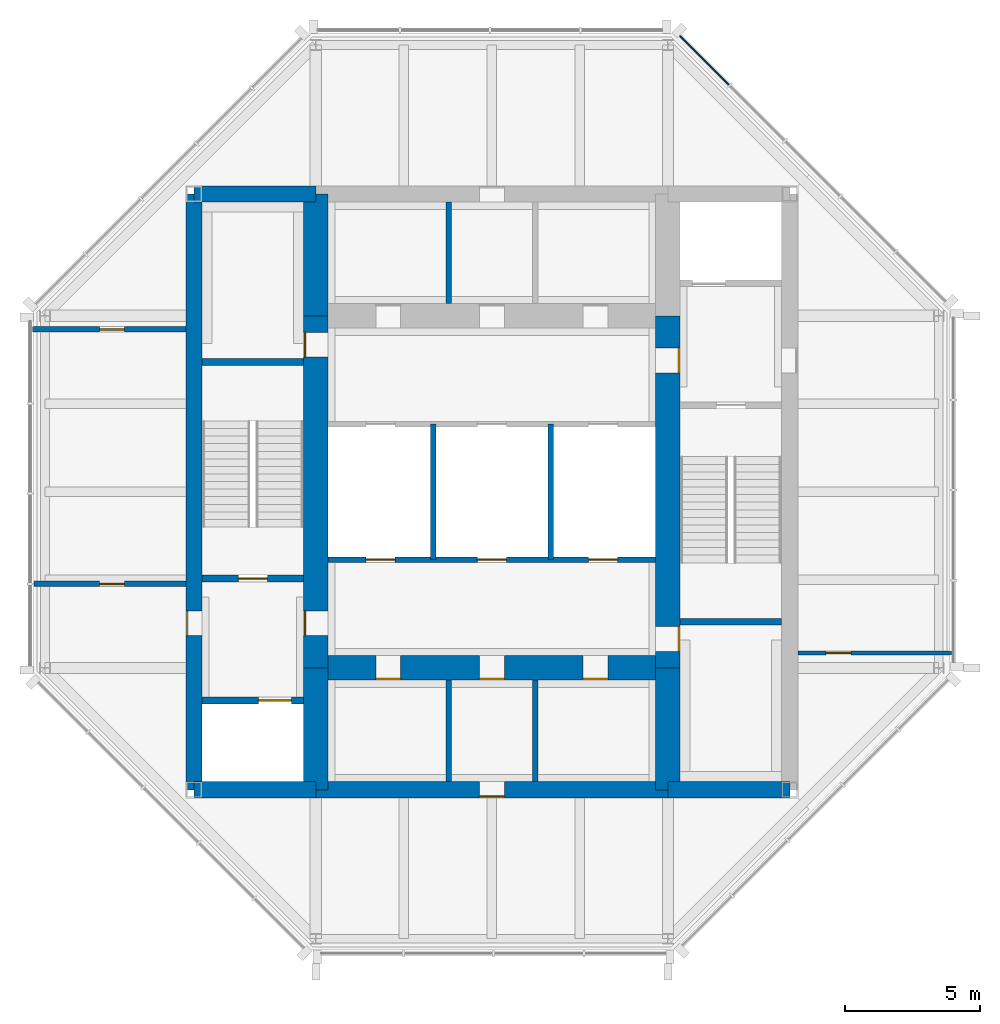
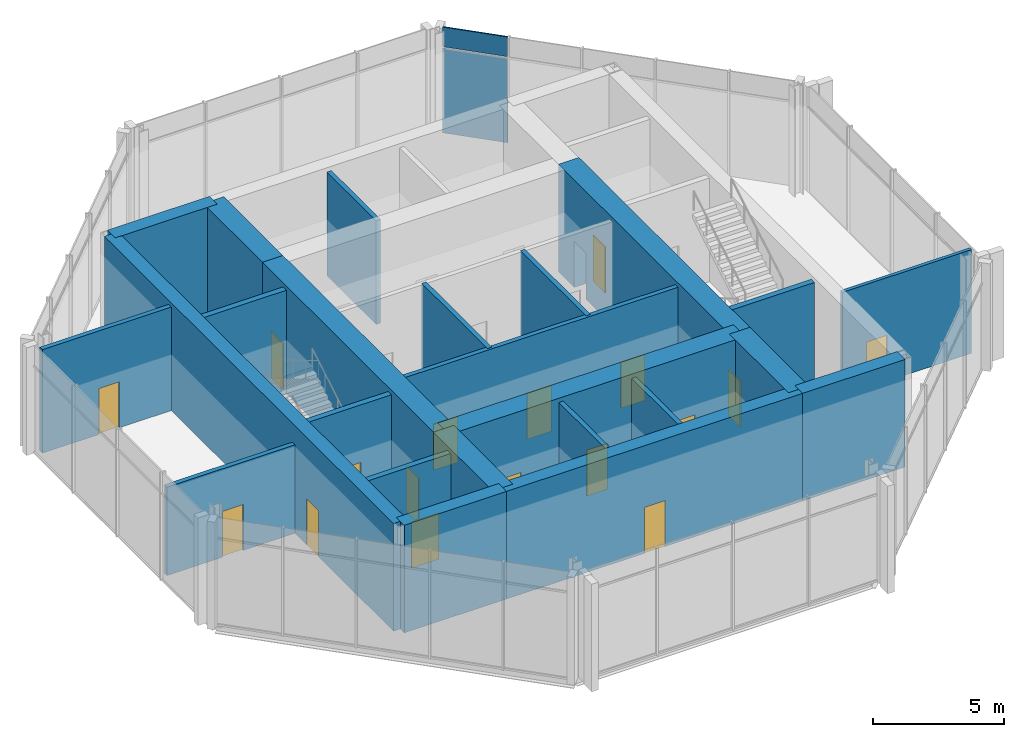
# One storey, part 5 of 7: 24 walls, 17 doors, 2 plates, 17 openings, 1 element without a shape of its own.
"""IFC4 building model written with IfcOpenShell, lengths in metres."""

from ifc_helpers import new_model, si_unit, direction, frame, frame_2d, origin, origin_2d, place, context, subcontext, project, spatial, rectangle, extrude, material, layer, layer_set, type_object, element, fill, aggregate, save


model = new_model("IFC4")

# Units and contexts
model_context = context("Model", 3, precision=1e-05, world=origin(), true_north=direction((0.0, 1.0)))
body_context = subcontext(model_context, "Body", "Model", "MODEL_VIEW")
ifc_project = project(units=[si_unit("LENGTHUNIT", "METRE"), si_unit("AREAUNIT", "SQUARE_METRE"), si_unit("VOLUMEUNIT", "CUBIC_METRE"), si_unit("PLANEANGLEUNIT", "RADIAN"), si_unit("MASSUNIT", "GRAM", prefix="KILO")], contexts=[model_context])

# Site, building, storey
site_placement = place(None, origin())
site = spatial("IfcSite", under=ifc_project, at=site_placement, CompositionType="ELEMENT")
building_placement = place(site_placement, origin())
building = spatial("IfcBuilding", under=site, at=building_placement, Name="Trevanion Tower", CompositionType="ELEMENT")
storey_placement = place(building_placement, frame((0.0, 0.0, 299.199951171875)))
storey = spatial("IfcBuildingStorey", under=building, at=storey_placement, Name="L74", CompositionType="ELEMENT", Elevation=299.199951171875)

# Curtain wall, plates
ifc_material_1 = material(Name="Aluminium and glass", Category="aluminium")
curtain_wall_type = type_object("IfcCurtainWallType", Name="CW4 curtain wall", PredefinedType="USERDEFINED", material=ifc_material_1)
curtain_wall_placement = place(storey_placement, origin())
curtain_wall = element("IfcCurtainWall", 1, at=curtain_wall_placement, inside=storey, type_object=curtain_wall_type, Name="CW4 L74 1", ObjectType="UNITISED CURTAIN WALL", PredefinedType="USERDEFINED")
ifc_material_2 = material(Name="Aluminium spandrel panel", Category="aluminium")
ifc_layer_1 = layer(ifc_material_2, 0.06005859375)
ifc_layer_set_1 = layer_set([ifc_layer_1], Name="CW4 spandrel panel")
plate_type_1 = type_object("IfcPlateType", Name="CW4 spandrel panel", PredefinedType="CURTAIN_PANEL", material=ifc_layer_set_1)
plate_1_placement = place(storey_placement, frame((7.84375, 15.93408203125, 3.8974609375), z_axis=(0.0, 0.0, 1.0), x_axis=(-0.707106781187, 0.707106781187, 0.0)))
plate_1 = element("IfcPlate", 2, at=plate_1_placement, type_object=plate_type_1, Name="CW4 panel 5.2", PredefinedType="CURTAIN_PANEL", context=body_context, shape_type="SweptSolid", body=[
    extrude(rectangle(XDim=2.55615234375, YDim=0.06005859375, at=origin_2d()), origin(), (0.0, 0.0, 1.0), 0.91259765625),
])
ifc_material_3 = material(Name="Insulating glass unit", Category="glass")
ifc_layer_2 = layer(ifc_material_3, 0.028076171875)
ifc_layer_set_2 = layer_set([ifc_layer_2], Name="CW4 vision panel")
plate_type_2 = type_object("IfcPlateType", Name="CW4 vision panel", PredefinedType="CURTAIN_PANEL", material=ifc_layer_set_2)
plate_2_placement = place(storey_placement, frame((7.84375, 15.93408203125, -0.114990234375), z_axis=(0.0, 0.0, 1.0), x_axis=(-0.707106781187, 0.707106781187, 0.0)))
plate_2 = element("IfcPlate", 3, at=plate_2_placement, type_object=plate_type_2, Name="CW4 panel 5.1", PredefinedType="CURTAIN_PANEL", context=body_context, shape_type="SweptSolid", body=[
    extrude(rectangle(XDim=2.55615234375, YDim=0.028076171875, at=origin_2d()), origin(), (0.0, 0.0, 1.0), 3.9375),
])
aggregate(curtain_wall, [plate_2, plate_1])

# Wall, opening, door
ifc_material_4 = material(Name="Concrete 10,000 psi", Category="concrete")
ifc_layer_3 = layer(ifc_material_4, 0.60009765625)
ifc_layer_set_3 = layer_set([ifc_layer_3], Name="CW1 core wall 600")
wall_type_1 = type_object("IfcWallType", Name="CW1 core wall 600", PredefinedType="SHEAR", material=ifc_layer_set_3)
wall_1_placement = place(storey_placement, frame((-11.0, 11.0, 0.0), z_axis=(0.0, 0.0, 1.0), x_axis=(0.0, -1.0, 0.0)))
wall_1 = element("IfcWall", 4, at=wall_1_placement, inside=storey, type_object=wall_type_1, Name="CW1 CW L74", PredefinedType="SHEAR", context=body_context, shape_type="SweptSolid", body=[
    extrude(rectangle(XDim=22.0, YDim=0.60009765625, at=frame_2d((11.0, 0.0))), origin(), (0.0, 0.0, 1.0), 5.0),
])
opening_1_placement = place(wall_1_placement, frame((15.392578125, 0.0, 0.0)))
opening_1 = element("IfcOpeningElement", 5, at=opening_1_placement, cuts=wall_1, Name="Opening 74-002", PredefinedType="OPENING", context=body_context, shape_type="SweptSolid", body=[
    extrude(rectangle(XDim=0.9150390625, YDim=2.134033203125, at=frame_2d((0.45751953125, 1.06689453125))), frame((0.0, 0.31005859375, 0.0), z_axis=(0.0, -1.0, 0.0), x_axis=(1.0, 0.0, 0.0)), (0.0, 0.0, 1.0), 0.6201171875),
])
ifc_material_5 = material(Name="Hollow metal, fire rated", Category="steel")
door_type_1 = type_object("IfcDoorType", Name="D3 fire lift lobby door", OperationType="SINGLE_SWING_RIGHT", PredefinedType="DOOR", material=ifc_material_5)
door_1_placement = place(opening_1_placement, origin())
door_1 = element("IfcDoor", 6, at=door_1_placement, inside=storey, type_object=door_type_1, Name="Door 74-002", OperationType="SINGLE_SWING_RIGHT", OverallHeight=2.134033203125, OverallWidth=0.9150390625, PredefinedType="DOOR", context=body_context, shape_type="SweptSolid", body=[
    extrude(rectangle(XDim=0.9150390625, YDim=2.134033203125, at=frame_2d((0.45751953125, 1.06689453125))), frame((0.0, -0.22509765625, 0.0), z_axis=(0.0, -1.0, 0.0), x_axis=(1.0, 0.0, 0.0)), (0.0, 0.0, 1.0), 0.050048828125),
])
fill(opening_1, door_1)

# Walls
for number, where, z_axis, x_axis, name in (
    (7, (-6.5, 11.0, 0.0), (0.0, 0.0, 1.0), (-1.0, 0.0, 0.0), "CW1 CN3 L74"),
    (8, (-11.0, -11.0, 0.0), (0.0, 0.0, 1.0), (1.0, 0.0, 0.0), "CW1 CS1 L74"),
):
    element("IfcWall", number, at=place(storey_placement, frame(where, z_axis=z_axis, x_axis=x_axis)), inside=storey, type_object=wall_type_1, Name=name, PredefinedType="SHEAR", context=body_context, shape_type="SweptSolid", body=[
        extrude(rectangle(XDim=4.5, YDim=0.60009765625, at=frame_2d((2.25, 0.0))), origin(), (0.0, 0.0, 1.0), 5.0),
    ])

# Wall, opening, door
wall_2_placement = place(storey_placement, frame((-6.5, -11.0, 0.0), z_axis=(0.0, 0.0, 1.0), x_axis=(1.0, 0.0, 0.0)))
wall_2 = element("IfcWall", 9, at=wall_2_placement, inside=storey, type_object=wall_type_1, Name="CW1 CS2 L74", PredefinedType="SHEAR", context=body_context, shape_type="SweptSolid", body=[
    extrude(rectangle(XDim=13.0, YDim=0.60009765625, at=frame_2d((6.5, 0.0))), origin(), (0.0, 0.0, 1.0), 5.0),
])
opening_2_placement = place(wall_2_placement, frame((6.04248046875, 0.0, 0.0)))
opening_2 = element("IfcOpeningElement", 10, at=opening_2_placement, cuts=wall_2, Name="Opening 74-022", PredefinedType="OPENING", context=body_context, shape_type="SweptSolid", body=[
    extrude(rectangle(XDim=0.9150390625, YDim=2.134033203125, at=frame_2d((0.45751953125, 1.06689453125))), frame((0.0, 0.31005859375, 0.0), z_axis=(0.0, -1.0, 0.0), x_axis=(1.0, 0.0, 0.0)), (0.0, 0.0, 1.0), 0.6201171875),
])
door_2_placement = place(opening_2_placement, origin())
door_2 = element("IfcDoor", 11, at=door_2_placement, inside=storey, type_object=door_type_1, Name="Door 74-022", OperationType="SINGLE_SWING_RIGHT", OverallHeight=2.134033203125, OverallWidth=0.9150390625, PredefinedType="DOOR", context=body_context, shape_type="SweptSolid", body=[
    extrude(rectangle(XDim=0.9150390625, YDim=2.134033203125, at=frame_2d((0.45751953125, 1.06689453125))), frame((0.0, -0.22509765625, 0.0), z_axis=(0.0, -1.0, 0.0), x_axis=(1.0, 0.0, 0.0)), (0.0, 0.0, 1.0), 0.050048828125),
])
fill(opening_2, door_2)

# Walls
wall_3_placement = place(storey_placement, frame((6.5, -11.0, 0.0), z_axis=(0.0, 0.0, 1.0), x_axis=(1.0, 0.0, 0.0)))
element("IfcWall", 12, at=wall_3_placement, inside=storey, type_object=wall_type_1, Name="CW1 CS3 L74", PredefinedType="SHEAR", context=body_context, shape_type="SweptSolid", body=[
    extrude(rectangle(XDim=4.5, YDim=0.60009765625, at=frame_2d((2.25, 0.0))), origin(), (0.0, 0.0, 1.0), 5.0),
])
ifc_material_6 = material(Name="Concrete 10,000 psi", Category="concrete")
ifc_layer_4 = layer(ifc_material_6, 0.89990234375)
ifc_layer_set_4 = layer_set([ifc_layer_4], Name="CW2 core wall 900")
wall_type_2 = type_object("IfcWallType", Name="CW2 core wall 900", PredefinedType="SHEAR", material=ifc_layer_set_4)
wall_4_placement = place(storey_placement, frame((6.5, -11.0, 0.0), z_axis=(0.0, 0.0, 1.0), x_axis=(0.0, 1.0, 0.0)))
element("IfcWall", 13, at=wall_4_placement, inside=storey, type_object=wall_type_2, Name="CW2 RE1 L74", PredefinedType="SHEAR", context=body_context, shape_type="SweptSolid", body=[
    extrude(rectangle(XDim=4.5, YDim=0.89990234375, at=frame_2d((2.25, 0.0))), origin(), (0.0, 0.0, 1.0), 5.0),
])

# Wall, openings, doors
wall_5_placement = place(storey_placement, frame((6.5, -6.5, 0.0), z_axis=(0.0, 0.0, 1.0), x_axis=(0.0, 1.0, 0.0)))
wall_5 = element("IfcWall", 14, at=wall_5_placement, inside=storey, type_object=wall_type_2, Name="CW2 RE2 L74", PredefinedType="SHEAR", context=body_context, shape_type="SweptSolid", body=[
    extrude(rectangle(XDim=13.0, YDim=0.89990234375, at=frame_2d((6.5, 0.0))), origin(), (0.0, 0.0, 1.0), 5.0),
])
opening_3_placement = place(wall_5_placement, frame((10.892578125, 0.0, 0.0)))
opening_3 = element("IfcOpeningElement", 15, at=opening_3_placement, cuts=wall_5, Name="Opening 74-003", PredefinedType="OPENING", context=body_context, shape_type="SweptSolid", body=[
    extrude(rectangle(XDim=0.9150390625, YDim=2.134033203125, at=frame_2d((0.45751953125, 1.06689453125))), frame((0.0, 0.4599609375, 0.0), z_axis=(0.0, -1.0, 0.0), x_axis=(1.0, 0.0, 0.0)), (0.0, 0.0, 1.0), 0.919921875),
])
opening_4_placement = place(wall_5_placement, frame((0.610107421875, 0.0, 0.0)))
opening_4 = element("IfcOpeningElement", 16, at=opening_4_placement, cuts=wall_5, Name="Opening 74-009", PredefinedType="OPENING", context=body_context, shape_type="SweptSolid", body=[
    extrude(rectangle(XDim=0.9150390625, YDim=2.134033203125, at=frame_2d((0.45751953125, 1.06689453125))), frame((0.0, 0.4599609375, 0.0), z_axis=(0.0, -1.0, 0.0), x_axis=(1.0, 0.0, 0.0)), (0.0, 0.0, 1.0), 0.919921875),
])
door_3_placement = place(opening_3_placement, origin())
door_3 = element("IfcDoor", 17, at=door_3_placement, inside=storey, type_object=door_type_1, Name="Door 74-003", OperationType="SINGLE_SWING_RIGHT", OverallHeight=2.134033203125, OverallWidth=0.9150390625, PredefinedType="DOOR", context=body_context, shape_type="SweptSolid", body=[
    extrude(rectangle(XDim=0.9150390625, YDim=2.134033203125, at=frame_2d((0.45751953125, 1.06689453125))), frame((0.0, -0.375, 0.0), z_axis=(0.0, -1.0, 0.0), x_axis=(1.0, 0.0, 0.0)), (0.0, 0.0, 1.0), 0.050048828125),
])
fill(opening_3, door_3)
ifc_material_7 = material(Name="Hollow metal, fire rated", Category="steel")
door_type_2 = type_object("IfcDoorType", Name="D5 service room door", OperationType="SINGLE_SWING_RIGHT", PredefinedType="DOOR", material=ifc_material_7)
door_4_placement = place(opening_4_placement, origin())
door_4 = element("IfcDoor", 18, at=door_4_placement, inside=storey, type_object=door_type_2, Name="Door 74-009", OperationType="SINGLE_SWING_RIGHT", OverallHeight=2.134033203125, OverallWidth=0.9150390625, PredefinedType="DOOR", context=body_context, shape_type="SweptSolid", body=[
    extrude(rectangle(XDim=0.9150390625, YDim=2.134033203125, at=frame_2d((0.45751953125, 1.06689453125))), frame((0.0, -0.375, 0.0), z_axis=(0.0, -1.0, 0.0), x_axis=(1.0, 0.0, 0.0)), (0.0, 0.0, 1.0), 0.050048828125),
])
fill(opening_4, door_4)

# Wall
wall_6_placement = place(storey_placement, frame((-6.5, 11.0, 0.0), z_axis=(0.0, 0.0, 1.0), x_axis=(0.0, -1.0, 0.0)))
element("IfcWall", 19, at=wall_6_placement, inside=storey, type_object=wall_type_2, Name="CW2 RW1 L74", PredefinedType="SHEAR", context=body_context, shape_type="SweptSolid", body=[
    extrude(rectangle(XDim=4.5, YDim=0.89990234375, at=frame_2d((2.25, 0.0))), origin(), (0.0, 0.0, 1.0), 5.0),
])

# Wall, openings, doors
wall_7_placement = place(storey_placement, frame((-6.5, 6.5, 0.0), z_axis=(0.0, 0.0, 1.0), x_axis=(0.0, -1.0, 0.0)))
wall_7 = element("IfcWall", 20, at=wall_7_placement, inside=storey, type_object=wall_type_2, Name="CW2 RW2 L74", PredefinedType="SHEAR", context=body_context, shape_type="SweptSolid", body=[
    extrude(rectangle(XDim=13.0, YDim=0.89990234375, at=frame_2d((6.5, 0.0))), origin(), (0.0, 0.0, 1.0), 5.0),
])
opening_5_placement = place(wall_7_placement, frame((10.892578125, 0.0, 0.0)))
opening_5 = element("IfcOpeningElement", 21, at=opening_5_placement, cuts=wall_7, Name="Opening 74-004", PredefinedType="OPENING", context=body_context, shape_type="SweptSolid", body=[
    extrude(rectangle(XDim=0.9150390625, YDim=2.134033203125, at=frame_2d((0.45751953125, 1.06689453125))), frame((0.0, 0.4599609375, 0.0), z_axis=(0.0, -1.0, 0.0), x_axis=(1.0, 0.0, 0.0)), (0.0, 0.0, 1.0), 0.919921875),
])
opening_6_placement = place(wall_7_placement, frame((0.610107421875, 0.0, 0.0)))
opening_6 = element("IfcOpeningElement", 22, at=opening_6_placement, cuts=wall_7, Name="Opening 74-010", PredefinedType="OPENING", context=body_context, shape_type="SweptSolid", body=[
    extrude(rectangle(XDim=0.9150390625, YDim=2.134033203125, at=frame_2d((0.45751953125, 1.06689453125))), frame((0.0, 0.4599609375, 0.0), z_axis=(0.0, -1.0, 0.0), x_axis=(1.0, 0.0, 0.0)), (0.0, 0.0, 1.0), 0.919921875),
])
door_5_placement = place(opening_5_placement, origin())
door_5 = element("IfcDoor", 23, at=door_5_placement, inside=storey, type_object=door_type_1, Name="Door 74-004", OperationType="SINGLE_SWING_RIGHT", OverallHeight=2.134033203125, OverallWidth=0.9150390625, PredefinedType="DOOR", context=body_context, shape_type="SweptSolid", body=[
    extrude(rectangle(XDim=0.9150390625, YDim=2.134033203125, at=frame_2d((0.45751953125, 1.06689453125))), frame((0.0, -0.375, 0.0), z_axis=(0.0, -1.0, 0.0), x_axis=(1.0, 0.0, 0.0)), (0.0, 0.0, 1.0), 0.050048828125),
])
fill(opening_5, door_5)
door_6_placement = place(opening_6_placement, origin())
door_6 = element("IfcDoor", 24, at=door_6_placement, inside=storey, type_object=door_type_2, Name="Door 74-010", OperationType="SINGLE_SWING_RIGHT", OverallHeight=2.134033203125, OverallWidth=0.9150390625, PredefinedType="DOOR", context=body_context, shape_type="SweptSolid", body=[
    extrude(rectangle(XDim=0.9150390625, YDim=2.134033203125, at=frame_2d((0.45751953125, 1.06689453125))), frame((0.0, -0.375, 0.0), z_axis=(0.0, -1.0, 0.0), x_axis=(1.0, 0.0, 0.0)), (0.0, 0.0, 1.0), 0.050048828125),
])
fill(opening_6, door_6)

# Wall
wall_8_placement = place(storey_placement, frame((-6.5, -6.5, 0.0), z_axis=(0.0, 0.0, 1.0), x_axis=(0.0, -1.0, 0.0)))
element("IfcWall", 25, at=wall_8_placement, inside=storey, type_object=wall_type_2, Name="CW2 RW3 L74", PredefinedType="SHEAR", context=body_context, shape_type="SweptSolid", body=[
    extrude(rectangle(XDim=4.5, YDim=0.89990234375, at=frame_2d((2.25, 0.0))), origin(), (0.0, 0.0, 1.0), 5.0),
])

# Wall, openings, doors
wall_9_placement = place(storey_placement, frame((-6.5, -6.5, 0.0), z_axis=(0.0, 0.0, 1.0), x_axis=(1.0, 0.0, 0.0)))
wall_9 = element("IfcWall", 26, at=wall_9_placement, inside=storey, type_object=wall_type_2, Name="CW2 RS L74", PredefinedType="SHEAR", context=body_context, shape_type="SweptSolid", body=[
    extrude(rectangle(XDim=13.0, YDim=0.89990234375, at=frame_2d((6.5, 0.0))), origin(), (0.0, 0.0, 1.0), 5.0),
])
opening_7_placement = place(wall_9_placement, frame((6.04248046875, 0.0, 0.0)))
opening_7 = element("IfcOpeningElement", 27, at=opening_7_placement, cuts=wall_9, Name="Opening 74-021", PredefinedType="OPENING", context=body_context, shape_type="SweptSolid", body=[
    extrude(rectangle(XDim=0.9150390625, YDim=2.134033203125, at=frame_2d((0.45751953125, 1.06689453125))), frame((0.0, 0.4599609375, 0.0), z_axis=(0.0, -1.0, 0.0), x_axis=(1.0, 0.0, 0.0)), (0.0, 0.0, 1.0), 0.919921875),
])
opening_8_placement = place(wall_9_placement, frame((2.217529296875, 0.0, 0.0)))
opening_8 = element("IfcOpeningElement", 28, at=opening_8_placement, cuts=wall_9, Name="Opening 74-023", PredefinedType="OPENING", context=body_context, shape_type="SweptSolid", body=[
    extrude(rectangle(XDim=0.9150390625, YDim=2.134033203125, at=frame_2d((0.45751953125, 1.06689453125))), frame((0.0, 0.4599609375, 0.0), z_axis=(0.0, -1.0, 0.0), x_axis=(1.0, 0.0, 0.0)), (0.0, 0.0, 1.0), 0.919921875),
])
opening_9_placement = place(wall_9_placement, frame((9.867431640625, 0.0, 0.0)))
opening_9 = element("IfcOpeningElement", 29, at=opening_9_placement, cuts=wall_9, Name="Opening 74-024", PredefinedType="OPENING", context=body_context, shape_type="SweptSolid", body=[
    extrude(rectangle(XDim=0.9150390625, YDim=2.134033203125, at=frame_2d((0.45751953125, 1.06689453125))), frame((0.0, 0.4599609375, 0.0), z_axis=(0.0, -1.0, 0.0), x_axis=(1.0, 0.0, 0.0)), (0.0, 0.0, 1.0), 0.919921875),
])
ifc_material_8 = material(Name="Hollow metal, fire rated", Category="steel")
door_type_3 = type_object("IfcDoorType", Name="D11 toilet door in a two hour wall", OperationType="SINGLE_SWING_LEFT", PredefinedType="DOOR", material=ifc_material_8)
door_7_placement = place(opening_9_placement, origin())
door_7 = element("IfcDoor", 30, at=door_7_placement, inside=storey, type_object=door_type_3, Name="Door 74-024", OperationType="SINGLE_SWING_LEFT", OverallHeight=2.134033203125, OverallWidth=0.9150390625, PredefinedType="DOOR", context=body_context, shape_type="SweptSolid", body=[
    extrude(rectangle(XDim=0.9150390625, YDim=2.134033203125, at=frame_2d((0.45751953125, 1.06689453125))), frame((0.0, -0.375, 0.0), z_axis=(0.0, -1.0, 0.0), x_axis=(1.0, 0.0, 0.0)), (0.0, 0.0, 1.0), 0.050048828125),
])
fill(opening_9, door_7)
door_8_placement = place(opening_7_placement, origin())
door_8 = element("IfcDoor", 31, at=door_8_placement, inside=storey, type_object=door_type_1, Name="Door 74-021", OperationType="SINGLE_SWING_RIGHT", OverallHeight=2.134033203125, OverallWidth=0.9150390625, PredefinedType="DOOR", context=body_context, shape_type="SweptSolid", body=[
    extrude(rectangle(XDim=0.9150390625, YDim=2.134033203125, at=frame_2d((0.45751953125, 1.06689453125))), frame((0.0, -0.375, 0.0), z_axis=(0.0, -1.0, 0.0), x_axis=(1.0, 0.0, 0.0)), (0.0, 0.0, 1.0), 0.050048828125),
])
fill(opening_7, door_8)
ifc_material_9 = material(Name="Hollow metal, fire rated", Category="steel")
door_type_4 = type_object("IfcDoorType", Name="D9 office door in a two hour wall", OperationType="SINGLE_SWING_LEFT", PredefinedType="DOOR", material=ifc_material_9)
door_9_placement = place(opening_8_placement, origin())
door_9 = element("IfcDoor", 32, at=door_9_placement, inside=storey, type_object=door_type_4, Name="Door 74-023", OperationType="SINGLE_SWING_LEFT", OverallHeight=2.134033203125, OverallWidth=0.9150390625, PredefinedType="DOOR", context=body_context, shape_type="SweptSolid", body=[
    extrude(rectangle(XDim=0.9150390625, YDim=2.134033203125, at=frame_2d((0.45751953125, 1.06689453125))), frame((0.0, -0.375, 0.0), z_axis=(0.0, -1.0, 0.0), x_axis=(1.0, 0.0, 0.0)), (0.0, 0.0, 1.0), 0.050048828125),
])
fill(opening_8, door_9)

# Wall, opening, door
ifc_material_10 = material(Name="Gypsum board on steel studs", Category="steel")
ifc_layer_5 = layer(ifc_material_10, 0.14990234375)
ifc_layer_set_5 = layer_set([ifc_layer_5], Name="PT1 partition 150")
wall_type_3 = type_object("IfcWallType", Name="PT1 partition 150", PredefinedType="PARTITIONING", material=ifc_layer_set_5)
wall_10_placement = place(storey_placement, frame((11.300048828125, -5.949951171875, 0.0), z_axis=(0.0, 0.0, 1.0), x_axis=(1.0, 0.0, 0.0)))
wall_10 = element("IfcWall", 33, at=wall_10_placement, inside=storey, type_object=wall_type_3, Name="PT1 L74 BW1", PredefinedType="PARTITIONING", context=body_context, shape_type="SweptSolid", body=[
    extrude(rectangle(XDim=5.6650390625, YDim=0.14990234375, at=frame_2d((2.83251953125, 0.0))), origin(), (0.0, 0.0, 1.0), 4.81005859375),
])
opening_10_placement = place(wall_10_placement, frame((1.04248046875, 0.0, 0.0)))
opening_10 = element("IfcOpeningElement", 34, at=opening_10_placement, cuts=wall_10, Name="Opening 74-027", PredefinedType="OPENING", context=body_context, shape_type="SweptSolid", body=[
    extrude(rectangle(XDim=0.9150390625, YDim=2.134033203125, at=frame_2d((0.45751953125, 1.06689453125))), frame((0.0, 0.0849609375, 0.0), z_axis=(0.0, -1.0, 0.0), x_axis=(1.0, 0.0, 0.0)), (0.0, 0.0, 1.0), 0.169921875),
])
ifc_material_11 = material(Name="Timber veneer, solid core", Category="wood")
door_type_5 = type_object("IfcDoorType", Name="D1 office and meeting room door", OperationType="SINGLE_SWING_LEFT", PredefinedType="DOOR", material=ifc_material_11)
door_10_placement = place(opening_10_placement, origin())
door_10 = element("IfcDoor", 35, at=door_10_placement, inside=storey, type_object=door_type_5, Name="Door 74-027", OperationType="SINGLE_SWING_LEFT", OverallHeight=2.134033203125, OverallWidth=0.9150390625, PredefinedType="DOOR", context=body_context, shape_type="SweptSolid", body=[
    extrude(rectangle(XDim=0.9150390625, YDim=2.134033203125, at=frame_2d((0.45751953125, 1.06689453125))), frame((0.0, 0.02490234375, 0.0), z_axis=(0.0, -1.0, 0.0), x_axis=(1.0, 0.0, 0.0)), (0.0, 0.0, 1.0), 0.050048828125),
])
fill(opening_10, door_10)

# Wall, openings, doors
ifc_material_12 = material(Name="Concrete masonry, grouted", Category="masonry")
ifc_layer_6 = layer(ifc_material_12, 0.199951171875)
ifc_layer_set_6 = layer_set([ifc_layer_6], Name="PT2 partition 200 1 HR")
wall_type_4 = type_object("IfcWallType", Name="PT2 partition 200 1 HR", PredefinedType="PARTITIONING", material=ifc_layer_set_6)
wall_11_placement = place(storey_placement, frame((6.050048828125, -2.5, 0.0), z_axis=(0.0, 0.0, 1.0), x_axis=(-1.0, 0.0, 0.0)))
wall_11 = element("IfcWall", 36, at=wall_11_placement, inside=storey, type_object=wall_type_4, Name="PT2 L74 CP2", PredefinedType="PARTITIONING", context=body_context, shape_type="SweptSolid", body=[
    extrude(rectangle(XDim=12.10009765625, YDim=0.199951171875, at=frame_2d((6.050048828125, 0.0))), origin(), (0.0, 0.0, 1.0), 4.81005859375),
])
opening_11_placement = place(wall_11_placement, frame((9.624755859375, 0.0, 0.0)))
opening_11 = element("IfcOpeningElement", 37, at=opening_11_placement, cuts=wall_11, Name="Opening 74-012", PredefinedType="OPENING", context=body_context, shape_type="SweptSolid", body=[
    extrude(rectangle(XDim=1.06689453125, YDim=2.134033203125, at=frame_2d((0.533447265625, 1.06689453125))), frame((0.0, 0.10986328125, 0.0), z_axis=(0.0, -1.0, 0.0), x_axis=(1.0, 0.0, 0.0)), (0.0, 0.0, 1.0), 0.219970703125),
])
opening_12_placement = place(wall_11_placement, frame((5.5166015625, 0.0, 0.0)))
opening_12 = element("IfcOpeningElement", 38, at=opening_12_placement, cuts=wall_11, Name="Opening 74-014", PredefinedType="OPENING", context=body_context, shape_type="SweptSolid", body=[
    extrude(rectangle(XDim=1.06689453125, YDim=2.134033203125, at=frame_2d((0.533447265625, 1.06689453125))), frame((0.0, 0.10986328125, 0.0), z_axis=(0.0, -1.0, 0.0), x_axis=(1.0, 0.0, 0.0)), (0.0, 0.0, 1.0), 0.219970703125),
])
opening_13_placement = place(wall_11_placement, frame((1.408203125, 0.0, 0.0)))
opening_13 = element("IfcOpeningElement", 39, at=opening_13_placement, cuts=wall_11, Name="Opening 74-016", PredefinedType="OPENING", context=body_context, shape_type="SweptSolid", body=[
    extrude(rectangle(XDim=1.06689453125, YDim=2.134033203125, at=frame_2d((0.533447265625, 1.06689453125))), frame((0.0, 0.10986328125, 0.0), z_axis=(0.0, -1.0, 0.0), x_axis=(1.0, 0.0, 0.0)), (0.0, 0.0, 1.0), 0.219970703125),
])
ifc_material_13 = material(Name="Stainless steel, fire rated", Category="steel")
door_type_6 = type_object("IfcDoorType", Name="LD1 lift landing door", OperationType="SLIDING_TO_LEFT", PredefinedType="DOOR", material=ifc_material_13)
door_11_placement = place(opening_11_placement, origin())
door_11 = element("IfcDoor", 40, at=door_11_placement, inside=storey, type_object=door_type_6, Name="Door 74-012", OperationType="SLIDING_TO_LEFT", OverallHeight=2.134033203125, OverallWidth=1.06689453125, PredefinedType="DOOR", context=body_context, shape_type="SweptSolid", body=[
    extrude(rectangle(XDim=1.06689453125, YDim=2.134033203125, at=frame_2d((0.533447265625, 1.06689453125))), frame((0.0, 0.02490234375, 0.0), z_axis=(0.0, -1.0, 0.0), x_axis=(1.0, 0.0, 0.0)), (0.0, 0.0, 1.0), 0.050048828125),
])
fill(opening_11, door_11)
door_12_placement = place(opening_12_placement, origin())
door_12 = element("IfcDoor", 41, at=door_12_placement, inside=storey, type_object=door_type_6, Name="Door 74-014", OperationType="SLIDING_TO_LEFT", OverallHeight=2.134033203125, OverallWidth=1.06689453125, PredefinedType="DOOR", context=body_context, shape_type="SweptSolid", body=[
    extrude(rectangle(XDim=1.06689453125, YDim=2.134033203125, at=frame_2d((0.533447265625, 1.06689453125))), frame((0.0, 0.02490234375, 0.0), z_axis=(0.0, -1.0, 0.0), x_axis=(1.0, 0.0, 0.0)), (0.0, 0.0, 1.0), 0.050048828125),
])
fill(opening_12, door_12)
door_13_placement = place(opening_13_placement, origin())
door_13 = element("IfcDoor", 42, at=door_13_placement, inside=storey, type_object=door_type_6, Name="Door 74-016", OperationType="SLIDING_TO_LEFT", OverallHeight=2.134033203125, OverallWidth=1.06689453125, PredefinedType="DOOR", context=body_context, shape_type="SweptSolid", body=[
    extrude(rectangle(XDim=1.06689453125, YDim=2.134033203125, at=frame_2d((0.533447265625, 1.06689453125))), frame((0.0, 0.02490234375, 0.0), z_axis=(0.0, -1.0, 0.0), x_axis=(1.0, 0.0, 0.0)), (0.0, 0.0, 1.0), 0.050048828125),
])
fill(opening_13, door_13)

# Walls
for number, where, z_axis, x_axis, name in (
    (43, (-1.60009765625, 6.949951171875, 0.0), (0.0, 0.0, 1.0), (0.0, 1.0, 0.0), "PT2 L74 CNP1"),
    (44, (-1.60009765625, -6.949951171875, 0.0), (0.0, 0.0, 1.0), (0.0, -1.0, 0.0), "PT2 L74 CSP1"),
    (45, (1.60009765625, -6.949951171875, 0.0), (0.0, 0.0, 1.0), (0.0, -1.0, 0.0), "PT2 L74 CSP2"),
):
    element("IfcWall", number, at=place(storey_placement, frame(where, z_axis=z_axis, x_axis=x_axis)), inside=storey, type_object=wall_type_4, Name=name, PredefinedType="PARTITIONING", context=body_context, shape_type="SweptSolid", body=[
        extrude(rectangle(XDim=3.75, YDim=0.199951171875, at=frame_2d((1.875, 0.0))), origin(), (0.0, 0.0, 1.0), 4.81005859375),
    ])

# Wall, opening, door
wall_12_placement = place(storey_placement, frame((-11.300048828125, 6.0, 0.0), z_axis=(0.0, 0.0, 1.0), x_axis=(-1.0, 0.0, 0.0)))
wall_12 = element("IfcWall", 46, at=wall_12_placement, inside=storey, type_object=wall_type_4, Name="PT2 L74 KW1", PredefinedType="PARTITIONING", context=body_context, shape_type="SweptSolid", body=[
    extrude(rectangle(XDim=5.6650390625, YDim=0.199951171875, at=frame_2d((2.83251953125, 0.0))), origin(), (0.0, 0.0, 1.0), 4.81005859375),
])
opening_14_placement = place(wall_12_placement, frame((2.267578125, 0.0, 0.0)))
opening_14 = element("IfcOpeningElement", 47, at=opening_14_placement, cuts=wall_12, Name="Opening 74-025", PredefinedType="OPENING", context=body_context, shape_type="SweptSolid", body=[
    extrude(rectangle(XDim=0.9150390625, YDim=2.134033203125, at=frame_2d((0.45751953125, 1.06689453125))), frame((0.0, 0.10986328125, 0.0), z_axis=(0.0, -1.0, 0.0), x_axis=(1.0, 0.0, 0.0)), (0.0, 0.0, 1.0), 0.219970703125),
])
ifc_material_14 = material(Name="Timber veneer, fire rated", Category="wood")
door_type_7 = type_object("IfcDoorType", Name="D10 office door in a one hour wall", OperationType="SINGLE_SWING_LEFT", PredefinedType="DOOR", material=ifc_material_14)
door_14_placement = place(opening_14_placement, origin())
door_14 = element("IfcDoor", 48, at=door_14_placement, inside=storey, type_object=door_type_7, Name="Door 74-025", OperationType="SINGLE_SWING_LEFT", OverallHeight=2.134033203125, OverallWidth=0.9150390625, PredefinedType="DOOR", context=body_context, shape_type="SweptSolid", body=[
    extrude(rectangle(XDim=0.9150390625, YDim=2.134033203125, at=frame_2d((0.45751953125, 1.06689453125))), frame((0.0, 0.02490234375, 0.0), z_axis=(0.0, -1.0, 0.0), x_axis=(1.0, 0.0, 0.0)), (0.0, 0.0, 1.0), 0.050048828125),
])
fill(opening_14, door_14)

wall_13_placement = place(storey_placement, frame((-11.300048828125, -3.39990234375, 0.0), z_axis=(0.0, 0.0, 1.0), x_axis=(-1.0, 0.0, 0.0)))
wall_13 = element("IfcWall", 49, at=wall_13_placement, inside=storey, type_object=wall_type_4, Name="PT2 L74 KW2", PredefinedType="PARTITIONING", context=body_context, shape_type="SweptSolid", body=[
    extrude(rectangle(XDim=5.614990234375, YDim=0.199951171875, at=frame_2d((2.8076171875, 0.0))), origin(), (0.0, 0.0, 1.0), 4.109130859375),
])
opening_15_placement = place(wall_13_placement, frame((2.267578125, 0.0, 0.0)))
opening_15 = element("IfcOpeningElement", 50, at=opening_15_placement, cuts=wall_13, Name="Opening 74-026", PredefinedType="OPENING", context=body_context, shape_type="SweptSolid", body=[
    extrude(rectangle(XDim=0.9150390625, YDim=2.134033203125, at=frame_2d((0.45751953125, 1.06689453125))), frame((0.0, 0.10986328125, 0.0), z_axis=(0.0, -1.0, 0.0), x_axis=(1.0, 0.0, 0.0)), (0.0, 0.0, 1.0), 0.219970703125),
])
door_15_placement = place(opening_15_placement, origin())
door_15 = element("IfcDoor", 51, at=door_15_placement, inside=storey, type_object=door_type_7, Name="Door 74-026", OperationType="SINGLE_SWING_LEFT", OverallHeight=2.134033203125, OverallWidth=0.9150390625, PredefinedType="DOOR", context=body_context, shape_type="SweptSolid", body=[
    extrude(rectangle(XDim=0.9150390625, YDim=2.134033203125, at=frame_2d((0.45751953125, 1.06689453125))), frame((0.0, 0.02490234375, 0.0), z_axis=(0.0, -1.0, 0.0), x_axis=(1.0, 0.0, 0.0)), (0.0, 0.0, 1.0), 0.050048828125),
])
fill(opening_15, door_15)

# Walls
ifc_material_15 = material(Name="Concrete masonry, grouted", Category="masonry")
ifc_layer_7 = layer(ifc_material_15, 0.199951171875)
ifc_layer_set_7 = layer_set([ifc_layer_7], Name="PT2 partition 200 2 HR")
wall_type_5 = type_object("IfcWallType", Name="PT2 partition 200 2 HR", PredefinedType="PARTITIONING", material=ifc_layer_set_7)
for number, where, z_axis, x_axis, name in (
    (52, (-2.166748046875, -2.5, 0.0), (0.0, 0.0, 1.0), (0.0, 1.0, 0.0), "PT2 L74 MS0"),
    (53, (2.166748046875, -2.5, 0.0), (0.0, 0.0, 1.0), (0.0, 1.0, 0.0), "PT2 L74 MS1"),
):
    element("IfcWall", number, at=place(storey_placement, frame(where, z_axis=z_axis, x_axis=x_axis)), inside=storey, type_object=wall_type_5, Name=name, PredefinedType="PARTITIONING", context=body_context, shape_type="SweptSolid", body=[
        extrude(rectangle(XDim=5.0, YDim=0.199951171875, at=frame_2d((2.5, 0.0))), origin(), (0.0, 0.0, 1.0), 4.81005859375),
    ])

# Wall, opening, door
ifc_material_16 = material(Name="Concrete masonry, grouted, two-hour", Category="masonry")
ifc_layer_8 = layer(ifc_material_16, 0.25)
ifc_layer_set_8 = layer_set([ifc_layer_8], Name="PT3 partition 250 2 HR")
wall_type_6 = type_object("IfcWallType", Name="PT3 partition 250 2 HR", PredefinedType="PARTITIONING", material=ifc_layer_set_8)
wall_14_placement = place(storey_placement, frame((-6.949951171875, -7.699951171875, 0.0), z_axis=(0.0, 0.0, 1.0), x_axis=(-1.0, 0.0, 0.0)))
wall_14 = element("IfcWall", 54, at=wall_14_placement, inside=storey, type_object=wall_type_6, Name="PT3 L74 WP3", PredefinedType="PARTITIONING", context=body_context, shape_type="SweptSolid", body=[
    extrude(rectangle(XDim=3.75, YDim=0.25, at=frame_2d((1.875, 0.0))), origin(), (0.0, 0.0, 1.0), 4.81005859375),
])
opening_16_placement = place(wall_14_placement, frame((0.449951171875, 0.0, 0.0)))
opening_16 = element("IfcOpeningElement", 55, at=opening_16_placement, cuts=wall_14, Name="Opening 74-008", PredefinedType="OPENING", context=body_context, shape_type="SweptSolid", body=[
    extrude(rectangle(XDim=1.218994140625, YDim=2.134033203125, at=frame_2d((0.609375, 1.06689453125))), frame((0.0, 0.135009765625, 0.0), z_axis=(0.0, -1.0, 0.0), x_axis=(1.0, 0.0, 0.0)), (0.0, 0.0, 1.0), 0.27001953125),
])
ifc_material_17 = material(Name="Stainless steel, fire rated", Category="steel")
door_type_8 = type_object("IfcDoorType", Name="LD2 fire service lift landing door", OperationType="SLIDING_TO_LEFT", PredefinedType="DOOR", material=ifc_material_17)
door_16_placement = place(opening_16_placement, origin())
door_16 = element("IfcDoor", 56, at=door_16_placement, inside=storey, type_object=door_type_8, Name="Door 74-008", OperationType="SLIDING_TO_LEFT", OverallHeight=2.134033203125, OverallWidth=1.218994140625, PredefinedType="DOOR", context=body_context, shape_type="SweptSolid", body=[
    extrude(rectangle(XDim=1.218994140625, YDim=2.134033203125, at=frame_2d((0.609375, 1.06689453125))), frame((0.0, 0.02490234375, 0.0), z_axis=(0.0, -1.0, 0.0), x_axis=(1.0, 0.0, 0.0)), (0.0, 0.0, 1.0), 0.050048828125),
])
fill(opening_16, door_16)

# Walls
ifc_material_18 = material(Name="Reinforced masonry, fully grouted", Category="masonry")
ifc_layer_9 = layer(ifc_material_18, 0.25)
ifc_layer_set_9 = layer_set([ifc_layer_9], Name="SW1 stair shaft wall 250")
wall_type_7 = type_object("IfcWallType", Name="SW1 stair shaft wall 250", PredefinedType="SOLIDWALL", material=ifc_layer_set_9)
for number, where, z_axis, x_axis, name in (
    (57, (6.949951171875, -4.800048828125, 0.0), (0.0, 0.0, 1.0), (1.0, 0.0, 0.0), "SW1 L74 EP1"),
    (58, (-6.949951171875, 4.800048828125, 0.0), (0.0, 0.0, 1.0), (-1.0, 0.0, 0.0), "SW1 L74 WP1"),
):
    element("IfcWall", number, at=place(storey_placement, frame(where, z_axis=z_axis, x_axis=x_axis)), inside=storey, type_object=wall_type_7, Name=name, PredefinedType="SOLIDWALL", context=body_context, shape_type="SweptSolid", body=[
        extrude(rectangle(XDim=3.75, YDim=0.25, at=frame_2d((1.875, 0.0))), origin(), (0.0, 0.0, 1.0), 4.81005859375),
    ])

# Wall, opening, door
wall_15_placement = place(storey_placement, frame((-6.949951171875, -3.199951171875, 0.0), z_axis=(0.0, 0.0, 1.0), x_axis=(-1.0, 0.0, 0.0)))
wall_15 = element("IfcWall", 59, at=wall_15_placement, inside=storey, type_object=wall_type_7, Name="SW1 L74 WP2", PredefinedType="SOLIDWALL", context=body_context, shape_type="SweptSolid", body=[
    extrude(rectangle(XDim=3.75, YDim=0.25, at=frame_2d((1.875, 0.0))), origin(), (0.0, 0.0, 1.0), 4.81005859375),
])
opening_17_placement = place(wall_15_placement, frame((1.341552734375, 0.0, 0.0)))
opening_17 = element("IfcOpeningElement", 60, at=opening_17_placement, cuts=wall_15, Name="Opening 74-006", PredefinedType="OPENING", context=body_context, shape_type="SweptSolid", body=[
    extrude(rectangle(XDim=1.06689453125, YDim=2.134033203125, at=frame_2d((0.533447265625, 1.06689453125))), frame((0.0, 0.135009765625, 0.0), z_axis=(0.0, -1.0, 0.0), x_axis=(1.0, 0.0, 0.0)), (0.0, 0.0, 1.0), 0.27001953125),
])
ifc_material_19 = material(Name="Hollow metal, fire rated", Category="steel")
door_type_9 = type_object("IfcDoorType", Name="D2 exit stair door", OperationType="SINGLE_SWING_LEFT", PredefinedType="DOOR", material=ifc_material_19)
door_17_placement = place(opening_17_placement, origin())
door_17 = element("IfcDoor", 61, at=door_17_placement, inside=storey, type_object=door_type_9, Name="Door 74-006", OperationType="SINGLE_SWING_LEFT", OverallHeight=2.134033203125, OverallWidth=1.06689453125, PredefinedType="DOOR", context=body_context, shape_type="SweptSolid", body=[
    extrude(rectangle(XDim=1.06689453125, YDim=2.134033203125, at=frame_2d((0.533447265625, 1.06689453125))), frame((0.0, 0.02490234375, 0.0), z_axis=(0.0, -1.0, 0.0), x_axis=(1.0, 0.0, 0.0)), (0.0, 0.0, 1.0), 0.050048828125),
])
fill(opening_17, door_17)

save(model, "model.ifc")
